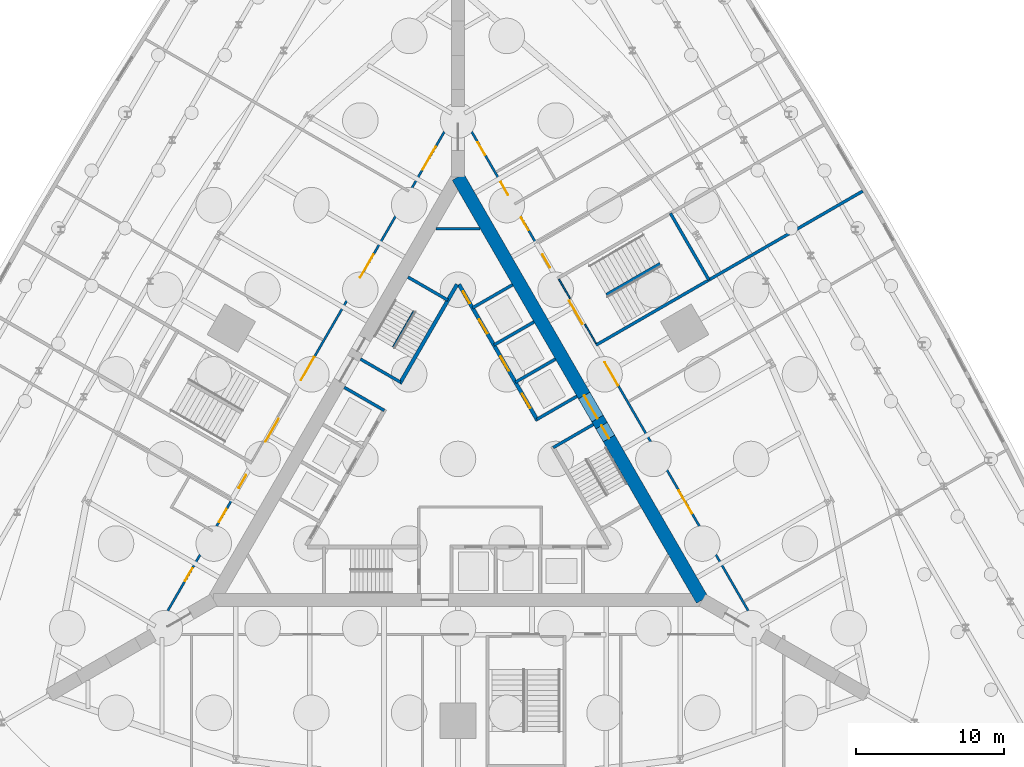
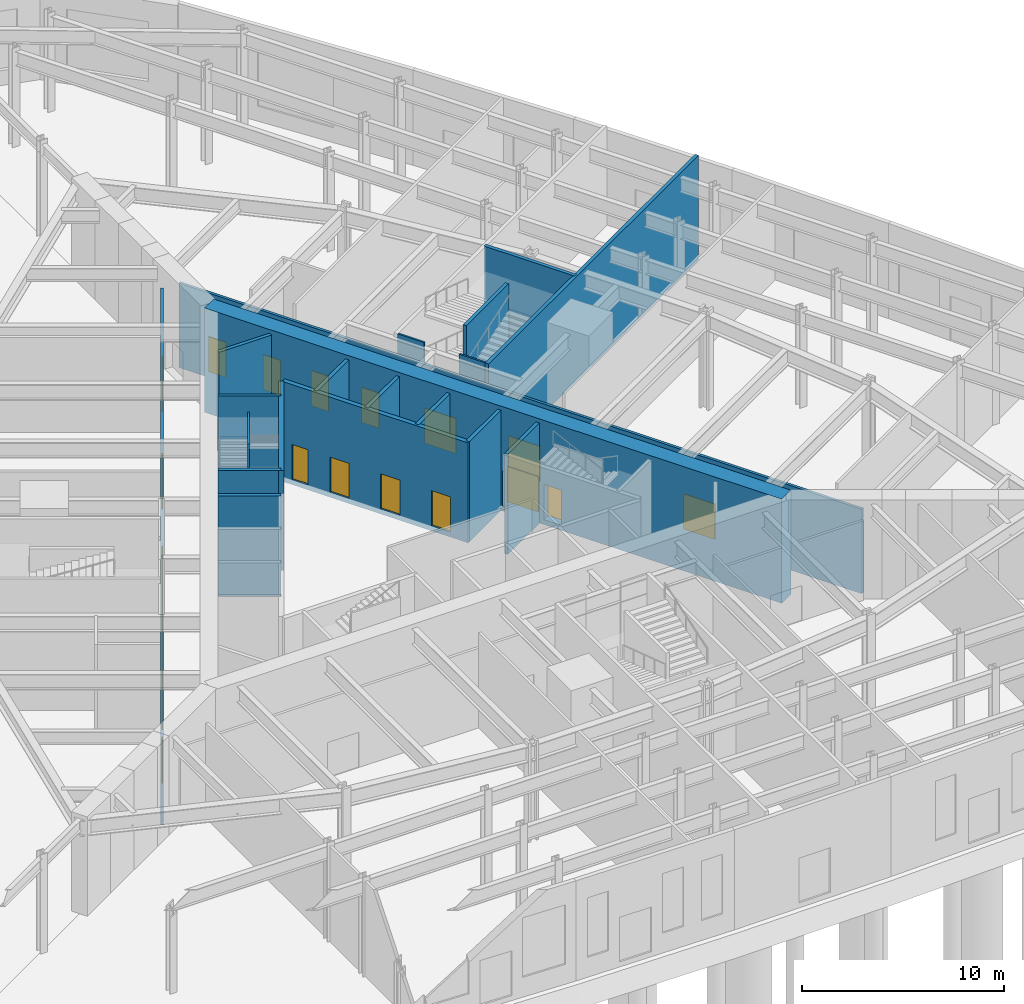
# One storey, part 12 of 17: 20 doors, 20 walls, 20 openings.
"""IFC4 building model written with IfcOpenShell, lengths in metres."""

from ifc_helpers import new_model, si_unit, direction, frame, frame_2d, origin, place, context, subcontext, project, spatial, rectangle, extrude, material, layer, layer_set, type_object, element, fill, save


model = new_model("IFC4")

# Units and contexts
model_context = context("Model", 3, precision=1e-05, world=origin(), true_north=direction((0.0, 1.0)))
body_context = subcontext(model_context, "Body", "Model", "MODEL_VIEW")
ifc_project = project(units=[si_unit("LENGTHUNIT", "METRE"), si_unit("AREAUNIT", "SQUARE_METRE"), si_unit("VOLUMEUNIT", "CUBIC_METRE"), si_unit("PLANEANGLEUNIT", "RADIAN"), si_unit("MASSUNIT", "GRAM", prefix="KILO")], contexts=[model_context])

# Site, building, storey
site_placement = place(None, origin())
site = spatial("IfcSite", under=ifc_project, at=site_placement, CompositionType="ELEMENT")
building_placement = place(site_placement, origin())
building = spatial("IfcBuilding", under=site, at=building_placement, Name="Trikona Tower", CompositionType="ELEMENT")
storey_placement = place(building_placement, origin())
storey = spatial("IfcBuildingStorey", under=building, at=storey_placement, Name="L00", CompositionType="ELEMENT", Elevation=0.0)

# Wall, openings, doors
ifc_material_1 = material(Name="Concrete f'c 10000 psi", Category="concrete")
ifc_layer_1 = layer(ifc_material_1, 0.89990234375)
ifc_layer_set_1 = layer_set([ifc_layer_1], Name="Core wall 900")
wall_type_1 = type_object("IfcWallType", Name="Core wall 900", PredefinedType="SHEAR", material=ifc_layer_set_1)
wall_1_placement = place(storey_placement, frame((16.5, -9.5263671875, -0.300048828125), z_axis=(0.0, 0.0, 1.0), x_axis=(-0.499999749417, 0.866025548458, 0.0)))
wall_1 = element("IfcWall", 1, at=wall_1_placement, inside=storey, type_object=wall_type_1, Name="Core wall B", PredefinedType="SHEAR", context=body_context, shape_type="SweptSolid", body=[
    extrude(rectangle(XDim=33.0, YDim=0.89990234375, at=frame_2d((16.5, 0.0))), origin(), (0.0, 0.0, 1.0), 6.300048828125),
])
opening_1_placement = place(wall_1_placement, frame((14.14990234375, 0.0, 0.300048828125)))
opening_1 = element("IfcOpeningElement", 2, at=opening_1_placement, cuts=wall_1, Name="Opening D6", PredefinedType="OPENING", context=body_context, shape_type="SweptSolid", body=[
    extrude(rectangle(XDim=1.800048828125, YDim=2.1298828125, at=frame_2d((0.89990234375, 1.06494140625))), frame((0.0, 0.4599609375, 0.0), z_axis=(0.0, -1.0, 0.0), x_axis=(1.0, 0.0, 0.0)), (0.0, 0.0, 1.0), 0.919921875),
])
opening_2_placement = place(wall_1_placement, frame((12.60009765625, 0.0, 0.300048828125)))
opening_2 = element("IfcOpeningElement", 3, at=opening_2_placement, cuts=wall_1, Name="Opening D5", PredefinedType="OPENING", context=body_context, shape_type="SweptSolid", body=[
    extrude(rectangle(XDim=1.0, YDim=2.1298828125, at=frame_2d((0.5, 1.06494140625))), frame((0.0, 0.4599609375, 0.0), z_axis=(0.0, -1.0, 0.0), x_axis=(1.0, 0.0, 0.0)), (0.0, 0.0, 1.0), 0.919921875),
])
ifc_material_2 = material(Name="Hollow metal door and frame", Category="steel")
door_type_1 = type_object("IfcDoorType", Name="Lobby door pair 1800x2130", OperationType="DOUBLE_DOOR_SINGLE_SWING", PredefinedType="DOOR", material=ifc_material_2)
door_1_placement = place(opening_1_placement, origin())
door_1 = element("IfcDoor", 4, at=door_1_placement, inside=storey, type_object=door_type_1, Name="Lift lobby door B", OperationType="DOUBLE_DOOR_SINGLE_SWING", OverallHeight=2.1298828125, OverallWidth=1.800048828125, PredefinedType="DOOR", context=body_context, shape_type="SweptSolid", body=[
    extrude(rectangle(XDim=1.800048828125, YDim=2.1298828125, at=frame_2d((0.89990234375, 1.06494140625))), frame((0.0, 0.02490234375, 0.0), z_axis=(0.0, -1.0, 0.0), x_axis=(1.0, 0.0, 0.0)), (0.0, 0.0, 1.0), 0.050048828125),
])
fill(opening_1, door_1)
ifc_material_3 = material(Name="Hollow metal door and frame", Category="steel")
door_type_2 = type_object("IfcDoorType", Name="Stair door 1000x2130", OperationType="SINGLE_SWING_LEFT", PredefinedType="DOOR", material=ifc_material_3)
door_2_placement = place(opening_2_placement, origin())
door_2 = element("IfcDoor", 5, at=door_2_placement, inside=storey, type_object=door_type_2, Name="Stair B door", OperationType="SINGLE_SWING_RIGHT", OverallHeight=2.1298828125, OverallWidth=1.0, PredefinedType="DOOR", context=body_context, shape_type="SweptSolid", body=[
    extrude(rectangle(XDim=1.0, YDim=2.1298828125, at=frame_2d((0.5, 1.06494140625))), frame((0.0, 0.02490234375, 0.0), z_axis=(0.0, -1.0, 0.0), x_axis=(1.0, 0.0, 0.0)), (0.0, 0.0, 1.0), 0.050048828125),
])
fill(opening_2, door_2)

ifc_material_4 = material(Name="Metal stud and gypsum board, 1-hour", Category="gypsum")
ifc_layer_2 = layer(ifc_material_4, 0.14990234375)
ifc_layer_set_2 = layer_set([ifc_layer_2], Name="Corridor wall 150")
wall_type_2 = type_object("IfcWallType", Name="Corridor wall 150", PredefinedType="PARTITIONING", material=ifc_layer_set_2)
wall_2_placement = place(storey_placement, frame((20.027099609375, -10.9853515625, -0.300048828125), z_axis=(0.0, 0.0, 1.0), x_axis=(-0.500001677587, 0.866024435227, 0.0)))
wall_2 = element("IfcWall", 6, at=wall_2_placement, inside=storey, type_object=wall_type_2, Name="Corridor wall L00-2", PredefinedType="PARTITIONING", context=body_context, shape_type="SweptSolid", body=[
    extrude(rectangle(XDim=39.053955078125, YDim=0.14990234375, at=frame_2d((19.52685546875, 0.0))), origin(), (0.0, 0.0, 1.0), 5.107666015625),
])
opening_3_placement = place(wall_2_placement, frame((8.427001953125, 0.0, 0.300048828125)))
opening_3 = element("IfcOpeningElement", 7, at=opening_3_placement, cuts=wall_2, Name="Opening D4", PredefinedType="OPENING", context=body_context, shape_type="SweptSolid", body=[
    extrude(rectangle(XDim=1.800048828125, YDim=2.1298828125, at=frame_2d((0.89990234375, 1.06494140625))), frame((0.0, 0.0849609375, 0.0), z_axis=(0.0, -1.0, 0.0), x_axis=(1.0, 0.0, 0.0)), (0.0, 0.0, 1.0), 0.169921875),
])
opening_4_placement = place(wall_2_placement, frame((18.427001953125, 0.0, 0.300048828125)))
opening_4 = element("IfcOpeningElement", 8, at=opening_4_placement, cuts=wall_2, Name="Opening D4", PredefinedType="OPENING", context=body_context, shape_type="SweptSolid", body=[
    extrude(rectangle(XDim=1.800048828125, YDim=2.1298828125, at=frame_2d((0.89990234375, 1.06494140625))), frame((0.0, 0.0849609375, 0.0), z_axis=(0.0, -1.0, 0.0), x_axis=(1.0, 0.0, 0.0)), (0.0, 0.0, 1.0), 0.169921875),
])
opening_5_placement = place(wall_2_placement, frame((23.22705078125, 0.0, 0.300048828125)))
opening_5 = element("IfcOpeningElement", 9, at=opening_5_placement, cuts=wall_2, Name="Opening D11", PredefinedType="OPENING", context=body_context, shape_type="SweptSolid", body=[
    extrude(rectangle(XDim=1.800048828125, YDim=2.1298828125, at=frame_2d((0.89990234375, 1.06494140625))), frame((0.0, 0.0849609375, 0.0), z_axis=(0.0, -1.0, 0.0), x_axis=(1.0, 0.0, 0.0)), (0.0, 0.0, 1.0), 0.169921875),
])
opening_6_placement = place(wall_2_placement, frame((27.626953125, 0.0, 0.300048828125)))
opening_6 = element("IfcOpeningElement", 10, at=opening_6_placement, cuts=wall_2, Name="Opening D3", PredefinedType="OPENING", context=body_context, shape_type="SweptSolid", body=[
    extrude(rectangle(XDim=1.0, YDim=2.1298828125, at=frame_2d((0.5, 1.06494140625))), frame((0.0, 0.0849609375, 0.0), z_axis=(0.0, -1.0, 0.0), x_axis=(1.0, 0.0, 0.0)), (0.0, 0.0, 1.0), 0.169921875),
])
opening_7_placement = place(wall_2_placement, frame((30.527099609375, 0.0, 0.300048828125)))
opening_7 = element("IfcOpeningElement", 11, at=opening_7_placement, cuts=wall_2, Name="Opening D3", PredefinedType="OPENING", context=body_context, shape_type="SweptSolid", body=[
    extrude(rectangle(XDim=1.0, YDim=2.1298828125, at=frame_2d((0.5, 1.06494140625))), frame((0.0, 0.0849609375, 0.0), z_axis=(0.0, -1.0, 0.0), x_axis=(1.0, 0.0, 0.0)), (0.0, 0.0, 1.0), 0.169921875),
])
opening_8_placement = place(wall_2_placement, frame((33.277099609375, 0.0, 0.300048828125)))
opening_8 = element("IfcOpeningElement", 12, at=opening_8_placement, cuts=wall_2, Name="Opening D3", PredefinedType="OPENING", context=body_context, shape_type="SweptSolid", body=[
    extrude(rectangle(XDim=1.0, YDim=2.1298828125, at=frame_2d((0.5, 1.06494140625))), frame((0.0, 0.0849609375, 0.0), z_axis=(0.0, -1.0, 0.0), x_axis=(1.0, 0.0, 0.0)), (0.0, 0.0, 1.0), 0.169921875),
])
opening_9_placement = place(wall_2_placement, frame((36.390380859375, 0.0, 0.300048828125)))
opening_9 = element("IfcOpeningElement", 13, at=opening_9_placement, cuts=wall_2, Name="Opening D3", PredefinedType="OPENING", context=body_context, shape_type="SweptSolid", body=[
    extrude(rectangle(XDim=1.0, YDim=2.1298828125, at=frame_2d((0.5, 1.06494140625))), frame((0.0, 0.0849609375, 0.0), z_axis=(0.0, -1.0, 0.0), x_axis=(1.0, 0.0, 0.0)), (0.0, 0.0, 1.0), 0.169921875),
])
ifc_material_5 = material(Name="Steel door frame with solid-core timber leaf", Category="steel")
door_type_3 = type_object("IfcDoorType", Name="Assembly door pair 1800x2130", OperationType="DOUBLE_DOOR_SINGLE_SWING", PredefinedType="DOOR", material=ifc_material_5)
door_3_placement = place(opening_3_placement, origin())
door_3 = element("IfcDoor", 14, at=door_3_placement, inside=storey, type_object=door_type_3, Name="Door Cafe", OperationType="DOUBLE_DOOR_SINGLE_SWING", OverallHeight=2.1298828125, OverallWidth=1.800048828125, PredefinedType="DOOR", context=body_context, shape_type="SweptSolid", body=[
    extrude(rectangle(XDim=1.800048828125, YDim=2.1298828125, at=frame_2d((0.89990234375, 1.06494140625))), frame((0.0, 0.02490234375, 0.0), z_axis=(0.0, -1.0, 0.0), x_axis=(1.0, 0.0, 0.0)), (0.0, 0.0, 1.0), 0.050048828125),
])
fill(opening_3, door_3)
door_4_placement = place(opening_4_placement, origin())
door_4 = element("IfcDoor", 15, at=door_4_placement, inside=storey, type_object=door_type_3, Name="Door Exit passage B", OperationType="DOUBLE_DOOR_SINGLE_SWING", OverallHeight=2.1298828125, OverallWidth=1.800048828125, PredefinedType="DOOR", context=body_context, shape_type="SweptSolid", body=[
    extrude(rectangle(XDim=1.800048828125, YDim=2.1298828125, at=frame_2d((0.89990234375, 1.06494140625))), frame((0.0, 0.02490234375, 0.0), z_axis=(0.0, -1.0, 0.0), x_axis=(1.0, 0.0, 0.0)), (0.0, 0.0, 1.0), 0.050048828125),
])
fill(opening_4, door_4)
ifc_material_6 = material(Name="Hollow metal door and frame", Category="steel")
door_type_4 = type_object("IfcDoorType", Name="Podium stair door 1800x2130", OperationType="DOUBLE_DOOR_SINGLE_SWING", PredefinedType="DOOR", material=ifc_material_6)
door_5_placement = place(opening_5_placement, origin())
door_5 = element("IfcDoor", 16, at=door_5_placement, inside=storey, type_object=door_type_4, Name="Stair door Podium stair PS2", OperationType="DOUBLE_DOOR_SINGLE_SWING", OverallHeight=2.1298828125, OverallWidth=1.800048828125, PredefinedType="DOOR", context=body_context, shape_type="SweptSolid", body=[
    extrude(rectangle(XDim=1.800048828125, YDim=2.1298828125, at=frame_2d((0.89990234375, 1.06494140625))), frame((0.0, 0.02490234375, 0.0), z_axis=(0.0, -1.0, 0.0), x_axis=(1.0, 0.0, 0.0)), (0.0, 0.0, 1.0), 0.050048828125),
])
fill(opening_5, door_5)
ifc_material_7 = material(Name="Steel door frame with solid-core timber leaf", Category="steel")
door_type_5 = type_object("IfcDoorType", Name="Room door 1000x2130", OperationType="SINGLE_SWING_LEFT", PredefinedType="DOOR", material=ifc_material_7)
door_6_placement = place(opening_6_placement, origin())
door_6 = element("IfcDoor", 17, at=door_6_placement, inside=storey, type_object=door_type_5, Name="Door Men's toilets", OperationType="SINGLE_SWING_LEFT", OverallHeight=2.1298828125, OverallWidth=1.0, PredefinedType="DOOR", context=body_context, shape_type="SweptSolid", body=[
    extrude(rectangle(XDim=1.0, YDim=2.1298828125, at=frame_2d((0.5, 1.06494140625))), frame((0.0, 0.02490234375, 0.0), z_axis=(0.0, -1.0, 0.0), x_axis=(1.0, 0.0, 0.0)), (0.0, 0.0, 1.0), 0.050048828125),
])
fill(opening_6, door_6)
door_7_placement = place(opening_7_placement, origin())
door_7 = element("IfcDoor", 18, at=door_7_placement, inside=storey, type_object=door_type_5, Name="Door Women's toilets", OperationType="SINGLE_SWING_RIGHT", OverallHeight=2.1298828125, OverallWidth=1.0, PredefinedType="DOOR", context=body_context, shape_type="SweptSolid", body=[
    extrude(rectangle(XDim=1.0, YDim=2.1298828125, at=frame_2d((0.5, 1.06494140625))), frame((0.0, 0.02490234375, 0.0), z_axis=(0.0, -1.0, 0.0), x_axis=(1.0, 0.0, 0.0)), (0.0, 0.0, 1.0), 0.050048828125),
])
fill(opening_7, door_7)
door_8_placement = place(opening_8_placement, origin())
door_8 = element("IfcDoor", 19, at=door_8_placement, inside=storey, type_object=door_type_5, Name="Door Accessible WC", OperationType="SINGLE_SWING_LEFT", OverallHeight=2.1298828125, OverallWidth=1.0, PredefinedType="DOOR", context=body_context, shape_type="SweptSolid", body=[
    extrude(rectangle(XDim=1.0, YDim=2.1298828125, at=frame_2d((0.5, 1.06494140625))), frame((0.0, 0.02490234375, 0.0), z_axis=(0.0, -1.0, 0.0), x_axis=(1.0, 0.0, 0.0)), (0.0, 0.0, 1.0), 0.050048828125),
])
fill(opening_8, door_8)
door_9_placement = place(opening_9_placement, origin())
door_9 = element("IfcDoor", 20, at=door_9_placement, inside=storey, type_object=door_type_5, Name="Door Retail unit 4", OperationType="SINGLE_SWING_RIGHT", OverallHeight=2.1298828125, OverallWidth=1.0, PredefinedType="DOOR", context=body_context, shape_type="SweptSolid", body=[
    extrude(rectangle(XDim=1.0, YDim=2.1298828125, at=frame_2d((0.5, 1.06494140625))), frame((0.0, 0.02490234375, 0.0), z_axis=(0.0, -1.0, 0.0), x_axis=(1.0, 0.0, 0.0)), (0.0, 0.0, 1.0), 0.050048828125),
])
fill(opening_9, door_9)

wall_3_placement = place(storey_placement, frame((-0.5, 22.83642578125, -0.300048828125), z_axis=(0.0, 0.0, 1.0), x_axis=(-0.500001677587, -0.866024435227, 0.0)))
wall_3 = element("IfcWall", 21, at=wall_3_placement, inside=storey, type_object=wall_type_2, Name="Corridor wall L00-3", PredefinedType="PARTITIONING", context=body_context, shape_type="SweptSolid", body=[
    extrude(rectangle(XDim=39.053955078125, YDim=0.14990234375, at=frame_2d((19.52685546875, 0.0))), origin(), (0.0, 0.0, 1.0), 5.107666015625),
])
opening_10_placement = place(wall_3_placement, frame((2.013427734375, 0.0, 0.300048828125)))
opening_10 = element("IfcOpeningElement", 22, at=opening_10_placement, cuts=wall_3, Name="Opening D4", PredefinedType="OPENING", context=body_context, shape_type="SweptSolid", body=[
    extrude(rectangle(XDim=1.800048828125, YDim=2.1298828125, at=frame_2d((0.89990234375, 1.06494140625))), frame((0.0, 0.0849609375, 0.0), z_axis=(0.0, -1.0, 0.0), x_axis=(1.0, 0.0, 0.0)), (0.0, 0.0, 1.0), 0.169921875),
])
opening_11_placement = place(wall_3_placement, frame((10.427001953125, 0.0, 0.300048828125)))
opening_11 = element("IfcOpeningElement", 23, at=opening_11_placement, cuts=wall_3, Name="Opening D4", PredefinedType="OPENING", context=body_context, shape_type="SweptSolid", body=[
    extrude(rectangle(XDim=1.800048828125, YDim=2.1298828125, at=frame_2d((0.89990234375, 1.06494140625))), frame((0.0, 0.0849609375, 0.0), z_axis=(0.0, -1.0, 0.0), x_axis=(1.0, 0.0, 0.0)), (0.0, 0.0, 1.0), 0.169921875),
])
opening_12_placement = place(wall_3_placement, frame((18.427001953125, 0.0, 0.300048828125)))
opening_12 = element("IfcOpeningElement", 24, at=opening_12_placement, cuts=wall_3, Name="Opening D4", PredefinedType="OPENING", context=body_context, shape_type="SweptSolid", body=[
    extrude(rectangle(XDim=1.800048828125, YDim=2.1298828125, at=frame_2d((0.89990234375, 1.06494140625))), frame((0.0, 0.0849609375, 0.0), z_axis=(0.0, -1.0, 0.0), x_axis=(1.0, 0.0, 0.0)), (0.0, 0.0, 1.0), 0.169921875),
])
opening_13_placement = place(wall_3_placement, frame((23.22705078125, 0.0, 0.300048828125)))
opening_13 = element("IfcOpeningElement", 25, at=opening_13_placement, cuts=wall_3, Name="Opening D11", PredefinedType="OPENING", context=body_context, shape_type="SweptSolid", body=[
    extrude(rectangle(XDim=1.800048828125, YDim=2.1298828125, at=frame_2d((0.89990234375, 1.06494140625))), frame((0.0, 0.0849609375, 0.0), z_axis=(0.0, -1.0, 0.0), x_axis=(1.0, 0.0, 0.0)), (0.0, 0.0, 1.0), 0.169921875),
])
opening_14_placement = place(wall_3_placement, frame((27.626953125, 0.0, 0.300048828125)))
opening_14 = element("IfcOpeningElement", 26, at=opening_14_placement, cuts=wall_3, Name="Opening D3", PredefinedType="OPENING", context=body_context, shape_type="SweptSolid", body=[
    extrude(rectangle(XDim=1.0, YDim=2.1298828125, at=frame_2d((0.5, 1.06494140625))), frame((0.0, 0.0849609375, 0.0), z_axis=(0.0, -1.0, 0.0), x_axis=(1.0, 0.0, 0.0)), (0.0, 0.0, 1.0), 0.169921875),
])
opening_15_placement = place(wall_3_placement, frame((30.277099609375, 0.0, 0.300048828125)))
opening_15 = element("IfcOpeningElement", 27, at=opening_15_placement, cuts=wall_3, Name="Opening D3", PredefinedType="OPENING", context=body_context, shape_type="SweptSolid", body=[
    extrude(rectangle(XDim=1.0, YDim=2.1298828125, at=frame_2d((0.5, 1.06494140625))), frame((0.0, 0.0849609375, 0.0), z_axis=(0.0, -1.0, 0.0), x_axis=(1.0, 0.0, 0.0)), (0.0, 0.0, 1.0), 0.169921875),
])
opening_16_placement = place(wall_3_placement, frame((34.890380859375, 0.0, 0.300048828125)))
opening_16 = element("IfcOpeningElement", 28, at=opening_16_placement, cuts=wall_3, Name="Opening D3", PredefinedType="OPENING", context=body_context, shape_type="SweptSolid", body=[
    extrude(rectangle(XDim=1.0, YDim=2.1298828125, at=frame_2d((0.5, 1.06494140625))), frame((0.0, 0.0849609375, 0.0), z_axis=(0.0, -1.0, 0.0), x_axis=(1.0, 0.0, 0.0)), (0.0, 0.0, 1.0), 0.169921875),
])
door_10_placement = place(opening_10_placement, origin())
door_10 = element("IfcDoor", 29, at=door_10_placement, inside=storey, type_object=door_type_3, Name="Door Loading dock", OperationType="DOUBLE_DOOR_SINGLE_SWING", OverallHeight=2.1298828125, OverallWidth=1.800048828125, PredefinedType="DOOR", context=body_context, shape_type="SweptSolid", body=[
    extrude(rectangle(XDim=1.800048828125, YDim=2.1298828125, at=frame_2d((0.89990234375, 1.06494140625))), frame((0.0, 0.02490234375, 0.0), z_axis=(0.0, -1.0, 0.0), x_axis=(1.0, 0.0, 0.0)), (0.0, 0.0, 1.0), 0.050048828125),
])
fill(opening_10, door_10)
door_11_placement = place(opening_11_placement, origin())
door_11 = element("IfcDoor", 30, at=door_11_placement, inside=storey, type_object=door_type_3, Name="Door Back of house", OperationType="DOUBLE_DOOR_SINGLE_SWING", OverallHeight=2.1298828125, OverallWidth=1.800048828125, PredefinedType="DOOR", context=body_context, shape_type="SweptSolid", body=[
    extrude(rectangle(XDim=1.800048828125, YDim=2.1298828125, at=frame_2d((0.89990234375, 1.06494140625))), frame((0.0, 0.02490234375, 0.0), z_axis=(0.0, -1.0, 0.0), x_axis=(1.0, 0.0, 0.0)), (0.0, 0.0, 1.0), 0.050048828125),
])
fill(opening_11, door_11)
door_12_placement = place(opening_12_placement, origin())
door_12 = element("IfcDoor", 31, at=door_12_placement, inside=storey, type_object=door_type_3, Name="Door Exit passage C", OperationType="DOUBLE_DOOR_SINGLE_SWING", OverallHeight=2.1298828125, OverallWidth=1.800048828125, PredefinedType="DOOR", context=body_context, shape_type="SweptSolid", body=[
    extrude(rectangle(XDim=1.800048828125, YDim=2.1298828125, at=frame_2d((0.89990234375, 1.06494140625))), frame((0.0, 0.02490234375, 0.0), z_axis=(0.0, -1.0, 0.0), x_axis=(1.0, 0.0, 0.0)), (0.0, 0.0, 1.0), 0.050048828125),
])
fill(opening_12, door_12)
door_13_placement = place(opening_13_placement, origin())
door_13 = element("IfcDoor", 32, at=door_13_placement, inside=storey, type_object=door_type_4, Name="Stair door Podium stair PS3", OperationType="DOUBLE_DOOR_SINGLE_SWING", OverallHeight=2.1298828125, OverallWidth=1.800048828125, PredefinedType="DOOR", context=body_context, shape_type="SweptSolid", body=[
    extrude(rectangle(XDim=1.800048828125, YDim=2.1298828125, at=frame_2d((0.89990234375, 1.06494140625))), frame((0.0, 0.02490234375, 0.0), z_axis=(0.0, -1.0, 0.0), x_axis=(1.0, 0.0, 0.0)), (0.0, 0.0, 1.0), 0.050048828125),
])
fill(opening_13, door_13)
door_14_placement = place(opening_14_placement, origin())
door_14 = element("IfcDoor", 33, at=door_14_placement, inside=storey, type_object=door_type_5, Name="Door Staff toilets", OperationType="SINGLE_SWING_LEFT", OverallHeight=2.1298828125, OverallWidth=1.0, PredefinedType="DOOR", context=body_context, shape_type="SweptSolid", body=[
    extrude(rectangle(XDim=1.0, YDim=2.1298828125, at=frame_2d((0.5, 1.06494140625))), frame((0.0, 0.02490234375, 0.0), z_axis=(0.0, -1.0, 0.0), x_axis=(1.0, 0.0, 0.0)), (0.0, 0.0, 1.0), 0.050048828125),
])
fill(opening_14, door_14)
door_15_placement = place(opening_15_placement, origin())
door_15 = element("IfcDoor", 34, at=door_15_placement, inside=storey, type_object=door_type_5, Name="Door Staff accessible WC", OperationType="SINGLE_SWING_RIGHT", OverallHeight=2.1298828125, OverallWidth=1.0, PredefinedType="DOOR", context=body_context, shape_type="SweptSolid", body=[
    extrude(rectangle(XDim=1.0, YDim=2.1298828125, at=frame_2d((0.5, 1.06494140625))), frame((0.0, 0.02490234375, 0.0), z_axis=(0.0, -1.0, 0.0), x_axis=(1.0, 0.0, 0.0)), (0.0, 0.0, 1.0), 0.050048828125),
])
fill(opening_15, door_15)
door_16_placement = place(opening_16_placement, origin())
door_16 = element("IfcDoor", 35, at=door_16_placement, inside=storey, type_object=door_type_5, Name="Door Refuse store", OperationType="SINGLE_SWING_RIGHT", OverallHeight=2.1298828125, OverallWidth=1.0, PredefinedType="DOOR", context=body_context, shape_type="SweptSolid", body=[
    extrude(rectangle(XDim=1.0, YDim=2.1298828125, at=frame_2d((0.5, 1.06494140625))), frame((0.0, 0.02490234375, 0.0), z_axis=(0.0, -1.0, 0.0), x_axis=(1.0, 0.0, 0.0)), (0.0, 0.0, 1.0), 0.050048828125),
])
fill(opening_16, door_16)

ifc_material_8 = material(Name="Concrete f'c 8000 psi", Category="concrete")
ifc_layer_3 = layer(ifc_material_8, 0.25)
ifc_layer_set_3 = layer_set([ifc_layer_3], Name="Hub wall 250")
wall_type_3 = type_object("IfcWallType", Name="Hub wall 250", PredefinedType="SOLIDWALL", material=ifc_layer_set_3)
wall_4_placement = place(storey_placement, frame((5.37890625, 2.5859375, -0.300048828125), z_axis=(0.0, 0.0, 1.0), x_axis=(-0.500001375892, 0.866024609411, 0.0)))
wall_4 = element("IfcWall", 36, at=wall_4_placement, inside=storey, type_object=wall_type_3, Name="Lift lobby wall B2", PredefinedType="SOLIDWALL", context=body_context, shape_type="SweptSolid", body=[
    extrude(rectangle(XDim=10.6328125, YDim=0.25, at=frame_2d((5.31640625, 0.0))), origin(), (0.0, 0.0, 1.0), 6.050048828125),
])
opening_17_placement = place(wall_4_placement, frame((9.1640625, 0.0, 0.300048828125)))
opening_17 = element("IfcOpeningElement", 37, at=opening_17_placement, cuts=wall_4, Name="Opening D14", PredefinedType="OPENING", context=body_context, shape_type="SweptSolid", body=[
    extrude(rectangle(XDim=0.89990234375, YDim=2.1298828125, at=frame_2d((0.449951171875, 1.06494140625))), frame((0.0, 0.135009765625, 0.0), z_axis=(0.0, -1.0, 0.0), x_axis=(1.0, 0.0, 0.0)), (0.0, 0.0, 1.0), 0.27001953125),
])
opening_18_placement = place(wall_4_placement, frame((1.0, 0.0, 0.300048828125)))
opening_18 = element("IfcOpeningElement", 38, at=opening_18_placement, cuts=wall_4, Name="Opening LD", PredefinedType="OPENING", context=body_context, shape_type="SweptSolid", body=[
    extrude(rectangle(XDim=1.10009765625, YDim=2.1298828125, at=frame_2d((0.550048828125, 1.06494140625))), frame((0.0, 0.135009765625, 0.0), z_axis=(0.0, -1.0, 0.0), x_axis=(1.0, 0.0, 0.0)), (0.0, 0.0, 1.0), 0.27001953125),
])
opening_19_placement = place(wall_4_placement, frame((3.89990234375, 0.0, 0.300048828125)))
opening_19 = element("IfcOpeningElement", 39, at=opening_19_placement, cuts=wall_4, Name="Opening LD", PredefinedType="OPENING", context=body_context, shape_type="SweptSolid", body=[
    extrude(rectangle(XDim=1.10009765625, YDim=2.1298828125, at=frame_2d((0.550048828125, 1.06494140625))), frame((0.0, 0.135009765625, 0.0), z_axis=(0.0, -1.0, 0.0), x_axis=(1.0, 0.0, 0.0)), (0.0, 0.0, 1.0), 0.27001953125),
])
opening_20_placement = place(wall_4_placement, frame((6.800048828125, 0.0, 0.300048828125)))
opening_20 = element("IfcOpeningElement", 40, at=opening_20_placement, cuts=wall_4, Name="Opening LD", PredefinedType="OPENING", context=body_context, shape_type="SweptSolid", body=[
    extrude(rectangle(XDim=1.10009765625, YDim=2.1298828125, at=frame_2d((0.550048828125, 1.06494140625))), frame((0.0, 0.135009765625, 0.0), z_axis=(0.0, -1.0, 0.0), x_axis=(1.0, 0.0, 0.0)), (0.0, 0.0, 1.0), 0.27001953125),
])
ifc_material_9 = material(Name="Stainless steel lift landing door", Category="steel")
door_type_6 = type_object("IfcDoorType", Name="Lift landing door 1100x2130", OperationType="DOUBLE_DOOR_SLIDING", PredefinedType="USERDEFINED", material=ifc_material_9)
door_17_placement = place(opening_18_placement, origin())
door_17 = element("IfcDoor", 41, at=door_17_placement, inside=storey, type_object=door_type_6, Name="Lift landing door L1-1", ObjectType="LIFT LANDING DOOR", OperationType="DOUBLE_DOOR_SLIDING", OverallHeight=2.1298828125, OverallWidth=1.10009765625, PredefinedType="USERDEFINED", context=body_context, shape_type="SweptSolid", body=[
    extrude(rectangle(XDim=1.10009765625, YDim=2.1298828125, at=frame_2d((0.550048828125, 1.06494140625))), frame((0.0, 0.02490234375, 0.0), z_axis=(0.0, -1.0, 0.0), x_axis=(1.0, 0.0, 0.0)), (0.0, 0.0, 1.0), 0.050048828125),
])
fill(opening_18, door_17)
door_18_placement = place(opening_19_placement, origin())
door_18 = element("IfcDoor", 42, at=door_18_placement, inside=storey, type_object=door_type_6, Name="Lift landing door L1-2", ObjectType="LIFT LANDING DOOR", OperationType="DOUBLE_DOOR_SLIDING", OverallHeight=2.1298828125, OverallWidth=1.10009765625, PredefinedType="USERDEFINED", context=body_context, shape_type="SweptSolid", body=[
    extrude(rectangle(XDim=1.10009765625, YDim=2.1298828125, at=frame_2d((0.550048828125, 1.06494140625))), frame((0.0, 0.02490234375, 0.0), z_axis=(0.0, -1.0, 0.0), x_axis=(1.0, 0.0, 0.0)), (0.0, 0.0, 1.0), 0.050048828125),
])
fill(opening_19, door_18)
door_19_placement = place(opening_20_placement, origin())
door_19 = element("IfcDoor", 43, at=door_19_placement, inside=storey, type_object=door_type_6, Name="Lift landing door L1-3", ObjectType="LIFT LANDING DOOR", OperationType="DOUBLE_DOOR_SLIDING", OverallHeight=2.1298828125, OverallWidth=1.10009765625, PredefinedType="USERDEFINED", context=body_context, shape_type="SweptSolid", body=[
    extrude(rectangle(XDim=1.10009765625, YDim=2.1298828125, at=frame_2d((0.550048828125, 1.06494140625))), frame((0.0, 0.02490234375, 0.0), z_axis=(0.0, -1.0, 0.0), x_axis=(1.0, 0.0, 0.0)), (0.0, 0.0, 1.0), 0.050048828125),
])
fill(opening_20, door_19)
ifc_material_10 = material(Name="Hollow metal door and frame", Category="steel")
door_type_7 = type_object("IfcDoorType", Name="Service room door 900x2130", OperationType="SINGLE_SWING_LEFT", PredefinedType="DOOR", material=ifc_material_10)
door_20_placement = place(opening_17_placement, origin())
door_20 = element("IfcDoor", 44, at=door_20_placement, inside=storey, type_object=door_type_7, Name="Door Cleaner's store CLN", OperationType="SINGLE_SWING_RIGHT", OverallHeight=2.1298828125, OverallWidth=0.89990234375, PredefinedType="DOOR", context=body_context, shape_type="SweptSolid", body=[
    extrude(rectangle(XDim=0.89990234375, YDim=2.1298828125, at=frame_2d((0.449951171875, 1.06494140625))), frame((0.0, 0.02490234375, 0.0), z_axis=(0.0, -1.0, 0.0), x_axis=(1.0, 0.0, 0.0)), (0.0, 0.0, 1.0), 0.050048828125),
])
fill(opening_17, door_20)

# Walls
wall_5_placement = place(storey_placement, frame((-0.0625, 11.794189453125, -0.300048828125), z_axis=(0.0, 0.0, 1.0), x_axis=(-0.500006680225, -0.86602154692, 0.0)))
element("IfcWall", 45, at=wall_5_placement, inside=storey, type_object=wall_type_3, Name="Lift lobby wall C1", PredefinedType="SOLIDWALL", context=body_context, shape_type="SweptSolid", body=[
    extrude(rectangle(XDim=7.73291015625, YDim=0.25, at=frame_2d((3.866455078125, 0.0))), origin(), (0.0, 0.0, 1.0), 6.050048828125),
])
ifc_material_11 = material(Name="Concrete f'c 8000 psi", Category="concrete")
ifc_layer_4 = layer(ifc_material_11, 0.199951171875)
ifc_layer_set_4 = layer_set([ifc_layer_4], Name="Shaft wall 200")
wall_type_4 = type_object("IfcWallType", Name="Shaft wall 200", PredefinedType="SOLIDWALL", material=ifc_layer_set_4)
for number, where, z_axis, x_axis, name in (
    (46, (5.3291015625, 2.672607421875, -0.300048828125), (0.0, 0.0, 1.0), (0.866022959057, 0.500004234368, 0.0), "Shaft wall B3"),
    (47, (3.87890625, 5.18408203125, -0.300048828125), (0.0, 0.0, 1.0), (0.866022959057, 0.500004234368, 0.0), "Shaft wall B4"),
    (48, (2.428955078125, 7.695556640625, -0.300048828125), (0.0, 0.0, 1.0), (0.866022959057, 0.500004234368, 0.0), "Shaft wall B5"),
    (49, (0.97900390625, 10.20703125, -0.300048828125), (0.0, 0.0, 1.0), (0.866022959057, 0.500004234368, 0.0), "Shaft wall B6"),
    (50, (-4.97900390625, 3.27880859375, -0.300048828125), (0.0, 0.0, 1.0), (-0.866022959057, 0.500004234368, 0.0), "Shaft wall C3"),
):
    element("IfcWall", number, at=place(storey_placement, frame(where, z_axis=z_axis, x_axis=x_axis)), inside=storey, type_object=wall_type_4, Name=name, PredefinedType="SOLIDWALL", context=body_context, shape_type="SweptSolid", body=[
        extrude(rectangle(XDim=3.125, YDim=0.199951171875, at=frame_2d((1.5625, 0.0))), origin(), (0.0, 0.0, 1.0), 6.050048828125),
    ])
wall_6_placement = place(storey_placement, frame((-1.501220703125, 15.552490234375, -0.300048828125), z_axis=(0.0, 0.0, 1.0), x_axis=(1.0, 0.0, 0.0)))
element("IfcWall", 51, at=wall_6_placement, inside=storey, type_object=wall_type_4, Name="Riser wall L00-RS2", PredefinedType="SOLIDWALL", context=body_context, shape_type="SweptSolid", body=[
    extrude(rectangle(XDim=3.00244140625, YDim=0.199951171875, at=frame_2d((1.501220703125, 0.0))), origin(), (0.0, 0.0, 1.0), 6.050048828125),
])
ifc_material_12 = material(Name="Concrete f'c 8000 psi", Category="concrete")
ifc_layer_5 = layer(ifc_material_12, 0.199951171875)
ifc_layer_set_5 = layer_set([ifc_layer_5], Name="Shaft wall 200 load-bearing")
wall_type_5 = type_object("IfcWallType", Name="Shaft wall 200 load-bearing", PredefinedType="SOLIDWALL", material=ifc_layer_set_5)
for number, where, z_axis, x_axis, name in (
    (52, (6.428955078125, 0.767333984375, -0.300048828125), (0.0, 0.0, 1.0), (0.866022959057, 0.500004234368, 0.0), "Shaft wall B2"),
    (53, (-0.678955078125, 10.7265625, -0.300048828125), (0.0, 0.0, 1.0), (-0.866022959057, 0.500004234368, 0.0), "Shaft wall C1"),
    (54, (-3.87890625, 5.18408203125, -0.300048828125), (0.0, 0.0, 1.0), (-0.866022959057, 0.500004234368, 0.0), "Shaft wall C2"),
):
    element("IfcWall", number, at=place(storey_placement, frame(where, z_axis=z_axis, x_axis=x_axis)), inside=storey, type_object=wall_type_5, Name=name, PredefinedType="SOLIDWALL", context=body_context, shape_type="SweptSolid", body=[
        extrude(rectangle(XDim=3.125, YDim=0.199951171875, at=frame_2d((1.5625, 0.0))), origin(), (0.0, 0.0, 1.0), 6.050048828125),
    ])
ifc_material_13 = material(Name="Concrete f'c 6000 psi", Category="concrete")
ifc_layer_6 = layer(ifc_material_13, 0.10009765625)
ifc_layer_set_6 = layer_set([ifc_layer_6], Name="Stair enclosure wall 100")
wall_type_6 = type_object("IfcWallType", Name="Stair enclosure wall 100", PredefinedType="SOLIDWALL", material=ifc_layer_set_6)
wall_7_placement = place(storey_placement, frame((9.32177734375, 7.806884765625, -0.300048828125), z_axis=(0.0, 0.0, 1.0), x_axis=(-0.500060622324, 0.86599040064, 0.0)))
element("IfcWall", 55, at=wall_7_placement, inside=storey, type_object=wall_type_6, Name="Podium stair PS2 end pier 1 L00", PredefinedType="SOLIDWALL", context=body_context, shape_type="SweptSolid", body=[
    extrude(rectangle(XDim=1.499755859375, YDim=0.10009765625, at=frame_2d((0.75, 0.0))), origin(), (0.0, 0.0, 1.0), 6.300048828125),
])
wall_8_placement = place(storey_placement, frame((7.57177734375, 10.837890625, -0.300048828125), z_axis=(0.0, 0.0, 1.0), x_axis=(-0.499990139034, 0.866031096941, 0.0)))
element("IfcWall", 56, at=wall_8_placement, inside=storey, type_object=wall_type_6, Name="Podium stair PS2 end pier 2 L00", PredefinedType="SOLIDWALL", context=body_context, shape_type="SweptSolid", body=[
    extrude(rectangle(XDim=1.5, YDim=0.10009765625, at=frame_2d((0.75, 0.0))), origin(), (0.0, 0.0, 1.0), 6.300048828125),
])
ifc_material_14 = material(Name="Concrete f'c 6000 psi", Category="concrete")
ifc_layer_7 = layer(ifc_material_14, 0.199951171875)
ifc_layer_set_7 = layer_set([ifc_layer_7], Name="Stair enclosure wall 200")
wall_type_7 = type_object("IfcWallType", Name="Stair enclosure wall 200", PredefinedType="SHEAR", material=ifc_layer_set_7)
wall_9_placement = place(storey_placement, frame((9.32861328125, 7.6953125, -0.300048828125), z_axis=(0.0, 0.0, 1.0), x_axis=(0.866025850686, 0.499999225942, 0.0)))
element("IfcWall", 57, at=wall_9_placement, inside=storey, type_object=wall_type_7, Name="Stair enclosure L00 F2 u2", PredefinedType="SHEAR", context=body_context, shape_type="SweptSolid", body=[
    extrude(rectangle(XDim=20.79443359375, YDim=0.199951171875, at=frame_2d((10.397216796875, 0.0))), origin(), (0.0, 0.0, 1.0), 6.300048828125),
])
wall_10_placement = place(storey_placement, frame((16.949462890625, 12.09521484375, -0.300048828125), z_axis=(0.0, 0.0, 1.0), x_axis=(-0.499992051641, 0.866029992723, 0.0)))
element("IfcWall", 58, at=wall_10_placement, inside=storey, type_object=wall_type_7, Name="Podium stair PS2 end wall", PredefinedType="SHEAR", context=body_context, shape_type="SweptSolid", body=[
    extrude(rectangle(XDim=5.19970703125, YDim=0.199951171875, at=frame_2d((2.599853515625, 0.0))), origin(), (0.0, 0.0, 1.0), 6.300048828125),
])
ifc_material_15 = material(Name="Concrete f'c 5000 psi", Category="concrete")
ifc_layer_8 = layer(ifc_material_15, 0.10009765625)
ifc_layer_set_8 = layer_set([ifc_layer_8], Name="Stair spine wall 100")
wall_type_8 = type_object("IfcWallType", Name="Stair spine wall 100", PredefinedType="SOLIDWALL", material=ifc_layer_set_8)
wall_11_placement = place(storey_placement, frame((-2.98779296875, 9.9775390625, 0.0), z_axis=(0.0, 0.0, 1.0), x_axis=(-0.499992232847, -0.866029888106, 0.0)))
element("IfcWall", 59, at=wall_11_placement, inside=storey, type_object=wall_type_8, Name="Stair C spine wall L00", PredefinedType="SOLIDWALL", context=body_context, shape_type="SweptSolid", body=[
    extrude(rectangle(XDim=2.7939453125, YDim=0.10009765625, at=frame_2d((1.39697265625, 0.0))), origin(), (0.0, 0.0, 1.0), 6.0),
])
ifc_material_16 = material(Name="Concrete f'c 5000 psi", Category="concrete")
ifc_layer_9 = layer(ifc_material_16, 0.2001953125)
ifc_layer_set_9 = layer_set([ifc_layer_9], Name="Stair spine wall 200")
wall_type_9 = type_object("IfcWallType", Name="Stair spine wall 200", PredefinedType="SOLIDWALL", material=ifc_layer_set_9)
wall_12_placement = place(storey_placement, frame((10.02294921875, 11.098388671875, 0.0), z_axis=(0.0, 0.0, 1.0), x_axis=(0.866031452229, 0.49998952364, 0.0)))
element("IfcWall", 60, at=wall_12_placement, inside=storey, type_object=wall_type_9, Name="Podium stair PS2 spine wall L00", PredefinedType="SOLIDWALL", context=body_context, shape_type="SweptSolid", body=[
    extrude(rectangle(XDim=4.19384765625, YDim=0.199951171875, at=frame_2d((2.096923828125, 0.0))), origin(), (0.0, 0.0, 1.0), 6.0),
])

save(model, "model.ifc")
